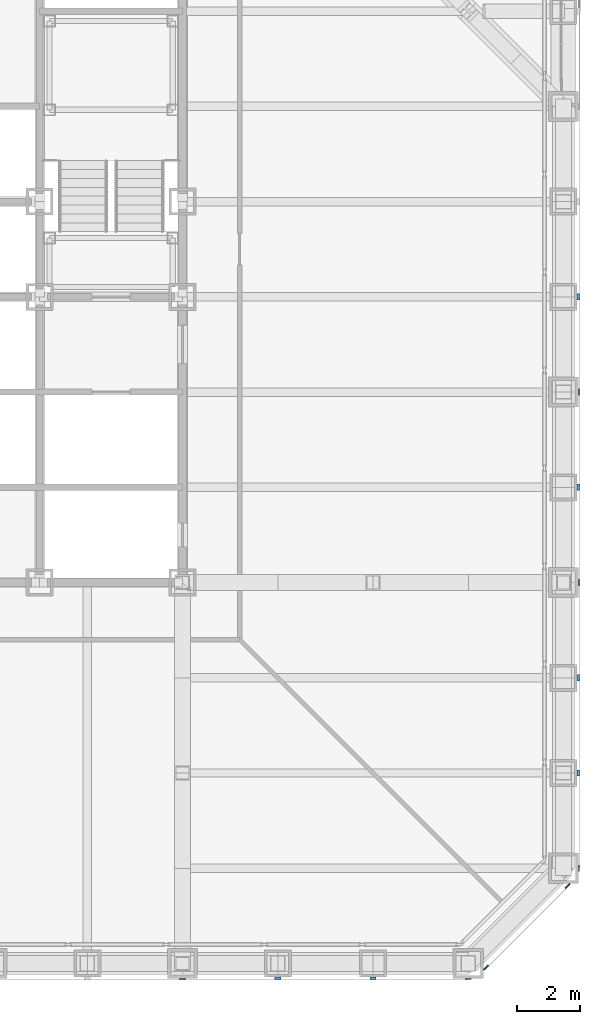
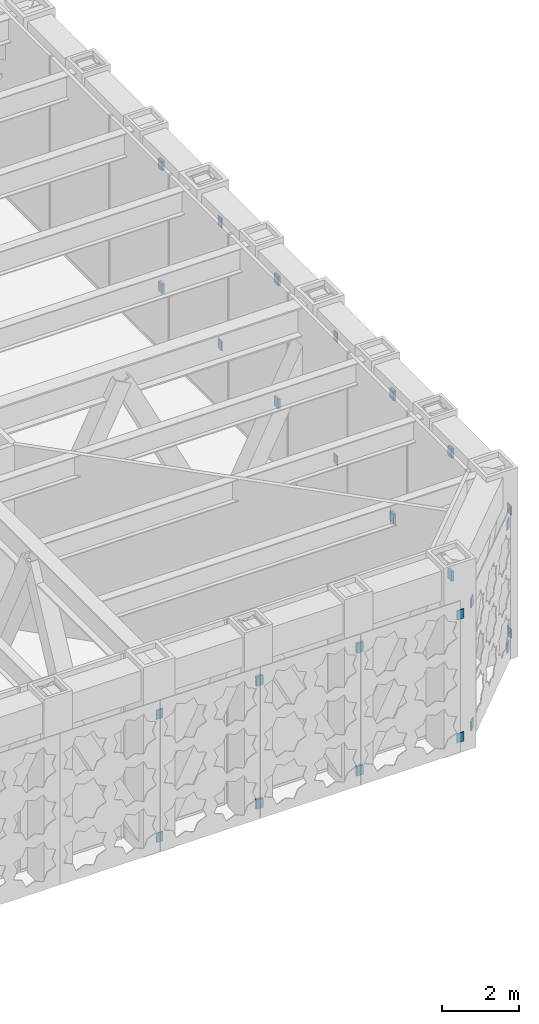
# One storey, part 16 of 31: 26 discrete accessories.
"""IFC4 building model written with IfcOpenShell, lengths in metres."""

from ifc_helpers import new_model, si_unit, direction, frame, origin, origin_2d, place, context, subcontext, project, spatial, rectangle, extrude, material, type_object, element, save


model = new_model("IFC4")

# Units and contexts
model_context = context("Model", 3, precision=1e-05, world=origin(), true_north=direction((0.0, 1.0)))
body_context = subcontext(model_context, "Body", "Model", "MODEL_VIEW")
ifc_project = project(units=[si_unit("LENGTHUNIT", "METRE"), si_unit("AREAUNIT", "SQUARE_METRE"), si_unit("VOLUMEUNIT", "CUBIC_METRE"), si_unit("PLANEANGLEUNIT", "RADIAN"), si_unit("MASSUNIT", "GRAM", prefix="KILO")], contexts=[model_context])

# Site, building, storey
site_placement = place(None, origin())
site = spatial("IfcSite", under=ifc_project, at=site_placement, CompositionType="ELEMENT")
building_placement = place(site_placement, origin())
building = spatial("IfcBuilding", under=site, at=building_placement, Name="Chuquiago Exchange Tower", CompositionType="ELEMENT")
storey_placement = place(building_placement, frame((0.0, 0.0, 96.300048828125)))
storey = spatial("IfcBuildingStorey", under=building, at=storey_placement, Name="L20", CompositionType="ELEMENT", Elevation=96.300048828125)

# Discrete accessories
ifc_material_1 = material(Name="Stainless steel plate bracket", Category="steel")
discrete_accessory_type_1 = type_object("IfcDiscreteAccessoryType", Name="GB4 cladding bracket 75", PredefinedType="BRACKET", material=ifc_material_1)
for number, where, z_axis, x_axis, name in (
    (1, (36.0, -0.46240234375, 0.35009765625), (0.0, 0.0, 1.0), (1.0, 0.0, 0.0), "Cladding bracket L20 S"),
    (2, (36.0, -0.46240234375, 4.23974609375), (0.0, 0.0, 1.0), (1.0, 0.0, 0.0), "Cladding bracket L20 S"),
    (3, (39.0, -0.46240234375, 0.35009765625), (0.0, 0.0, 1.0), (1.0, 0.0, 0.0), "Cladding bracket L20 S"),
    (4, (39.0, -0.46240234375, 4.23974609375), (0.0, 0.0, 1.0), (1.0, 0.0, 0.0), "Cladding bracket L20 S"),
    (5, (45.46240234375, 6.0, 0.35009765625), (0.0, 0.0, 1.0), (0.0, 1.0, 0.0), "Cladding bracket L20 E"),
    (6, (45.46240234375, 6.0, 4.23974609375), (0.0, 0.0, 1.0), (0.0, 1.0, 0.0), "Cladding bracket L20 E"),
    (7, (45.46240234375, 9.0, 0.35009765625), (0.0, 0.0, 1.0), (0.0, 1.0, 0.0), "Cladding bracket L20 E"),
    (8, (45.46240234375, 9.0, 4.23974609375), (0.0, 0.0, 1.0), (0.0, 1.0, 0.0), "Cladding bracket L20 E"),
    (9, (45.46240234375, 15.0, 0.35009765625), (0.0, 0.0, 1.0), (0.0, 1.0, 0.0), "Cladding bracket L20 E"),
    (10, (45.46240234375, 15.0, 4.23974609375), (0.0, 0.0, 1.0), (0.0, 1.0, 0.0), "Cladding bracket L20 E"),
    (11, (45.46240234375, 21.0, 0.35009765625), (0.0, 0.0, 1.0), (0.0, 1.0, 0.0), "Cladding bracket L20 E"),
    (12, (45.46240234375, 21.0, 4.23974609375), (0.0, 0.0, 1.0), (0.0, 1.0, 0.0), "Cladding bracket L20 E"),
):
    element("IfcDiscreteAccessory", number, at=place(storey_placement, frame(where, z_axis=z_axis, x_axis=x_axis)), inside=storey, type_object=discrete_accessory_type_1, Name=name, PredefinedType="BRACKET", context=body_context, shape_type="SweptSolid", body=[
        extrude(rectangle(XDim=0.199951171875, YDim=0.074951171875, at=origin_2d()), origin(), (0.0, 0.0, 1.0), 0.300048828125),
    ])
ifc_material_2 = material(Name="Stainless steel plate bracket", Category="steel")
discrete_accessory_type_2 = type_object("IfcDiscreteAccessoryType", Name="GB6 cladding bracket 35", PredefinedType="BRACKET", material=ifc_material_2)
for number, where, z_axis, x_axis, name in (
    (13, (42.55810546875, -0.123779296875, 0.35009765625), (0.0, 0.0, 1.0), (0.707106781187, 0.707106781187, 0.0), "Cladding bracket L20 SE"),
    (14, (42.55810546875, -0.123779296875, 4.23974609375), (0.0, 0.0, 1.0), (0.707106781187, 0.707106781187, 0.0), "Cladding bracket L20 SE"),
    (15, (45.123779296875, 2.44189453125, 0.35009765625), (0.0, 0.0, 1.0), (0.707106781187, 0.707106781187, 0.0), "Cladding bracket L20 SE"),
    (16, (45.123779296875, 2.44189453125, 4.23974609375), (0.0, 0.0, 1.0), (0.707106781187, 0.707106781187, 0.0), "Cladding bracket L20 SE"),
):
    element("IfcDiscreteAccessory", number, at=place(storey_placement, frame(where, z_axis=z_axis, x_axis=x_axis)), inside=storey, type_object=discrete_accessory_type_2, Name=name, PredefinedType="BRACKET", context=body_context, shape_type="SweptSolid", body=[
        extrude(rectangle(XDim=0.199951171875, YDim=0.035400390625, at=origin_2d()), origin(), (0.0, 0.0, 1.0), 0.300048828125),
    ])
ifc_material_3 = material(Name="Stainless steel plate bracket", Category="steel")
discrete_accessory_type_3 = type_object("IfcDiscreteAccessoryType", Name="GB7 cladding bracket 25", PredefinedType="BRACKET", material=ifc_material_3)
for number, where, z_axis, x_axis, name in (
    (17, (33.0, -0.487548828125, 0.35009765625), (0.0, 0.0, 1.0), (1.0, 0.0, 0.0), "Cladding bracket L20 S"),
    (18, (33.0, -0.487548828125, 4.23974609375), (0.0, 0.0, 1.0), (1.0, 0.0, 0.0), "Cladding bracket L20 S"),
    (19, (42.0, -0.487548828125, 0.35009765625), (0.0, 0.0, 1.0), (1.0, 0.0, 0.0), "Cladding bracket L20 S"),
    (20, (42.0, -0.487548828125, 4.23974609375), (0.0, 0.0, 1.0), (1.0, 0.0, 0.0), "Cladding bracket L20 S"),
    (21, (45.487548828125, 3.0, 0.35009765625), (0.0, 0.0, 1.0), (0.0, 1.0, 0.0), "Cladding bracket L20 E"),
    (22, (45.487548828125, 3.0, 4.23974609375), (0.0, 0.0, 1.0), (0.0, 1.0, 0.0), "Cladding bracket L20 E"),
    (23, (45.487548828125, 12.0, 0.35009765625), (0.0, 0.0, 1.0), (0.0, 1.0, 0.0), "Cladding bracket L20 E"),
    (24, (45.487548828125, 12.0, 4.23974609375), (0.0, 0.0, 1.0), (0.0, 1.0, 0.0), "Cladding bracket L20 E"),
    (25, (45.487548828125, 18.0, 0.35009765625), (0.0, 0.0, 1.0), (0.0, 1.0, 0.0), "Cladding bracket L20 E"),
    (26, (45.487548828125, 18.0, 4.23974609375), (0.0, 0.0, 1.0), (0.0, 1.0, 0.0), "Cladding bracket L20 E"),
):
    element("IfcDiscreteAccessory", number, at=place(storey_placement, frame(where, z_axis=z_axis, x_axis=x_axis)), inside=storey, type_object=discrete_accessory_type_3, Name=name, PredefinedType="BRACKET", context=body_context, shape_type="SweptSolid", body=[
        extrude(rectangle(XDim=0.199951171875, YDim=0.02490234375, at=origin_2d()), origin(), (0.0, 0.0, 1.0), 0.300048828125),
    ])

save(model, "model.ifc")
